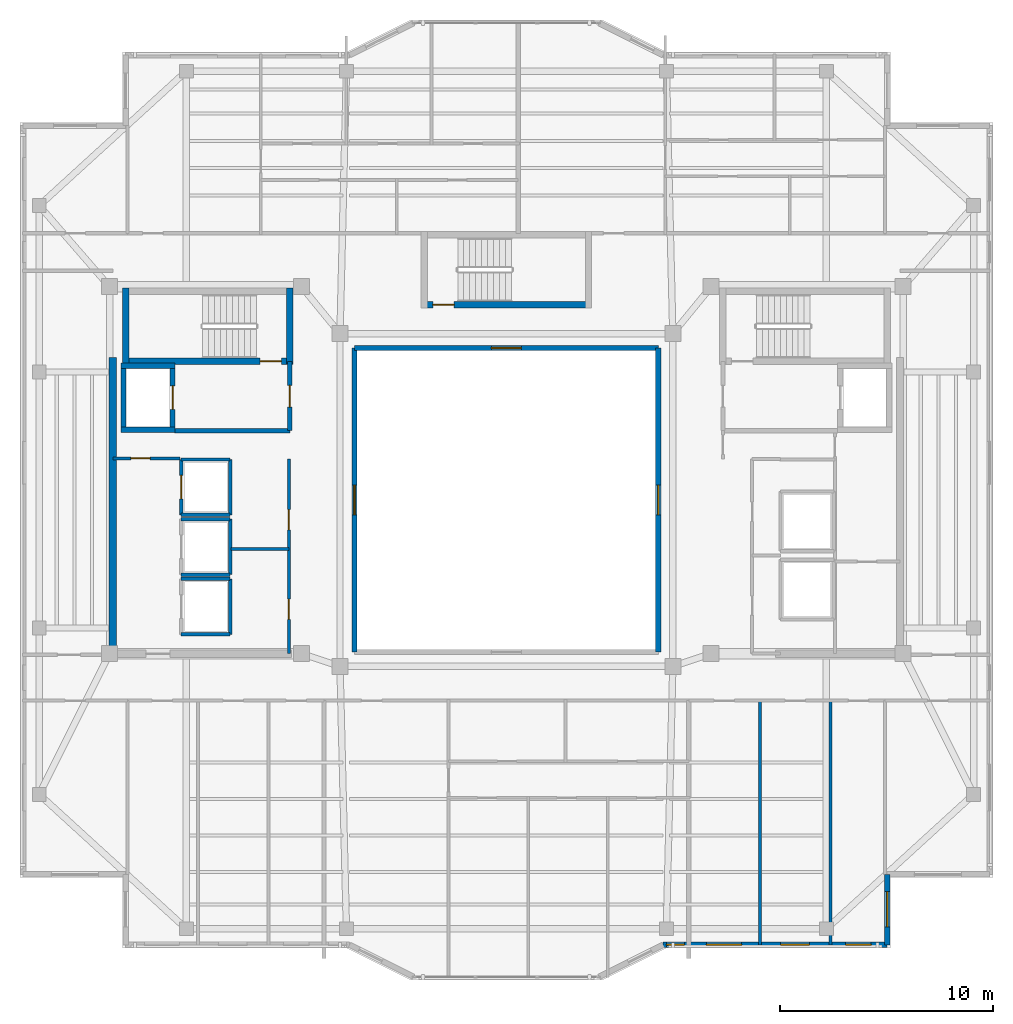
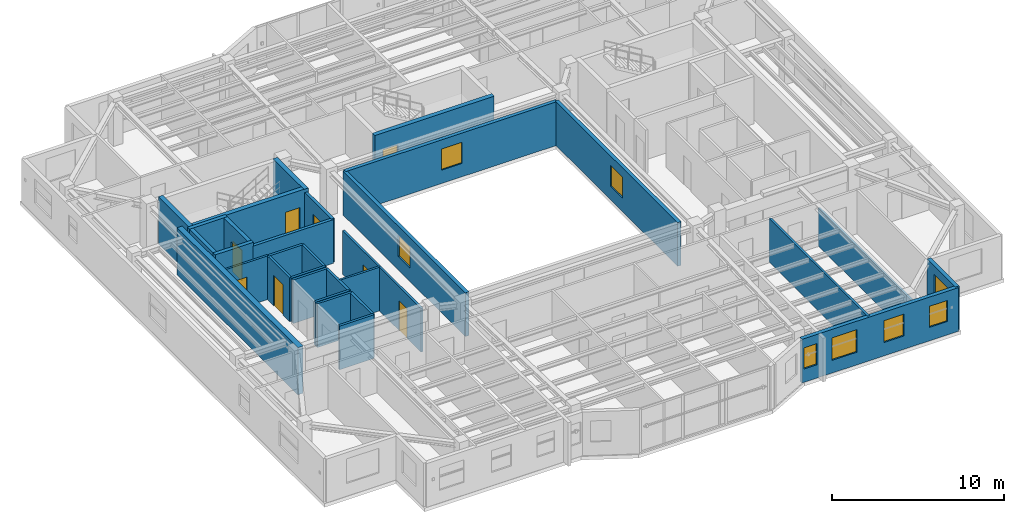
# One storey, part 7 of 13: 31 walls, 8 doors, 8 windows, 16 openings.
"""IFC4 building model written with IfcOpenShell, lengths in metres."""

from ifc_helpers import new_model, si_unit, direction, frame, frame_2d, origin, place, context, subcontext, project, spatial, rectangle, extrude, material, layer, layer_set, type_object, element, fill, save


model = new_model("IFC4")

# Units and contexts
model_context = context("Model", 3, precision=1e-05, world=origin(), true_north=direction((0.0, 1.0)))
body_context = subcontext(model_context, "Body", "Model", "MODEL_VIEW")
ifc_project = project(units=[si_unit("LENGTHUNIT", "METRE"), si_unit("AREAUNIT", "SQUARE_METRE"), si_unit("VOLUMEUNIT", "CUBIC_METRE"), si_unit("PLANEANGLEUNIT", "RADIAN"), si_unit("MASSUNIT", "GRAM", prefix="KILO")], contexts=[model_context])

# Site, building, storey
site_placement = place(None, origin())
site = spatial("IfcSite", under=ifc_project, at=site_placement, CompositionType="ELEMENT")
building_placement = place(site_placement, origin())
building = spatial("IfcBuilding", under=site, at=building_placement, Name="Tarnavaz Court Tower", CompositionType="ELEMENT")
storey_placement = place(building_placement, frame((0.0, 0.0, 248.199951171875)))
storey = spatial("IfcBuildingStorey", under=building, at=storey_placement, Name="L67", CompositionType="ELEMENT", Elevation=248.199951171875)

# Wall
ifc_material_1 = material(Name="Concrete C50/60", Category="concrete")
ifc_layer_1 = layer(ifc_material_1, 0.25)
ifc_layer_set_1 = layer_set([ifc_layer_1], Name="Concrete C50/60")
wall_type_1 = type_object("IfcWallType", Name="WL-CORE-250-C50", PredefinedType="SHEAR", material=ifc_layer_set_1)
wall_1_placement = place(storey_placement, frame((-17.949951171875, 3.175048828125, 0.0), z_axis=(0.0, 0.0, 1.0), x_axis=(0.0, 1.0, 0.0)))
element("IfcWall", 1, at=wall_1_placement, inside=storey, type_object=wall_type_1, Name="L67 Lift FL-W1 Shaft Wall 017", PredefinedType="SHEAR", context=body_context, shape_type="SweptSolid", body=[
    extrude(rectangle(XDim=3.25, YDim=0.25, at=frame_2d((1.625, 0.0))), origin(), (0.0, 0.0, 1.0), 3.35009765625),
])

# Wall, opening, door
wall_2_placement = place(storey_placement, frame((-15.64990234375, 3.175048828125, 0.0), z_axis=(0.0, 0.0, 1.0), x_axis=(0.0, 1.0, 0.0)))
wall_2 = element("IfcWall", 2, at=wall_2_placement, inside=storey, type_object=wall_type_1, Name="L67 Lift FL-W1 Shaft Wall 018", PredefinedType="SHEAR", context=body_context, shape_type="SweptSolid", body=[
    extrude(rectangle(XDim=3.25, YDim=0.25, at=frame_2d((1.625, 0.0))), origin(), (0.0, 0.0, 1.0), 3.35009765625),
])
opening_1_placement = place(wall_2_placement, frame((1.074951171875, 0.0, 0.0)))
opening_1 = element("IfcOpeningElement", 3, at=opening_1_placement, cuts=wall_2, Name="Opening LD1", PredefinedType="OPENING", context=body_context, shape_type="SweptSolid", body=[
    extrude(rectangle(XDim=1.10009765625, YDim=2.14990234375, at=frame_2d((0.550048828125, 1.074951171875))), frame((0.0, 0.135009765625, 0.0), z_axis=(0.0, -1.0, 0.0), x_axis=(1.0, 0.0, 0.0)), (0.0, 0.0, 1.0), 0.27001953125),
])
ifc_material_2 = material(Name="Stainless Steel", Category="steel")
door_type_1 = type_object("IfcDoorType", Name="DR-LD-1100", OperationType="NOTDEFINED", PredefinedType="DOOR", material=ifc_material_2)
door_1_placement = place(opening_1_placement, origin())
door_1 = element("IfcDoor", 4, at=door_1_placement, inside=storey, type_object=door_type_1, Name="L67 Lift Landing Door LD-FL-W1", OperationType="SLIDING_TO_LEFT", OverallHeight=2.14990234375, OverallWidth=1.10009765625, PredefinedType="DOOR", context=body_context, shape_type="SweptSolid", body=[
    extrude(rectangle(XDim=1.10009765625, YDim=2.14990234375, at=frame_2d((0.550048828125, 1.074951171875))), frame((0.0, 0.02490234375, 0.0), z_axis=(0.0, -1.0, 0.0), x_axis=(1.0, 0.0, 0.0)), (0.0, 0.0, 1.0), 0.050048828125),
])
fill(opening_1, door_1)

# Walls
for number, where, z_axis, x_axis, name in (
    (5, (-18.074951171875, 3.300048828125, 0.0), (0.0, 0.0, 1.0), (1.0, 0.0, 0.0), "L67 Lift FL-W1 Shaft Wall 019"),
    (6, (-18.074951171875, 6.300048828125, 0.0), (0.0, 0.0, 1.0), (1.0, 0.0, 0.0), "L67 Lift FL-W1 Shaft Wall 020"),
):
    element("IfcWall", number, at=place(storey_placement, frame(where, z_axis=z_axis, x_axis=x_axis)), inside=storey, type_object=wall_type_1, Name=name, PredefinedType="SHEAR", context=body_context, shape_type="SweptSolid", body=[
        extrude(rectangle(XDim=2.550048828125, YDim=0.25, at=frame_2d((1.27490234375, 0.0))), origin(), (0.0, 0.0, 1.0), 3.35009765625),
    ])

# Wall, opening, door
ifc_layer_2 = layer(ifc_material_1, 0.300048828125)
ifc_layer_set_2 = layer_set([ifc_layer_2], Name="Concrete C50/60")
wall_type_2 = type_object("IfcWallType", Name="WL-CORE-300-C50", PredefinedType="SHEAR", material=ifc_layer_set_2)
wall_3_placement = place(storey_placement, frame((-18.0, 6.5, 0.0), z_axis=(0.0, 0.0, 1.0), x_axis=(1.0, 0.0, 0.0)))
wall_3 = element("IfcWall", 7, at=wall_3_placement, inside=storey, type_object=wall_type_2, Name="L67 West Stair Core Wall 002", PredefinedType="SHEAR", context=body_context, shape_type="SweptSolid", body=[
    extrude(rectangle(XDim=8.0, YDim=0.300048828125, at=frame_2d((4.0, 0.0))), origin(), (0.0, 0.0, 1.0), 3.35009765625),
])
opening_2_placement = place(wall_3_placement, frame((6.449951171875, 0.0, 0.0)))
opening_2 = element("IfcOpeningElement", 8, at=opening_2_placement, cuts=wall_3, Name="Opening D01", PredefinedType="OPENING", context=body_context, shape_type="SweptSolid", body=[
    extrude(rectangle(XDim=1.0, YDim=2.14990234375, at=frame_2d((0.5, 1.074951171875))), frame((0.0, 0.159912109375, 0.0), z_axis=(0.0, -1.0, 0.0), x_axis=(1.0, 0.0, 0.0)), (0.0, 0.0, 1.0), 0.320068359375),
])
ifc_material_3 = material(Name="Fire-Rated Hardwood Timber Core", Category="wood")
door_type_2 = type_object("IfcDoorType", Name="DR-FD90-1000", OperationType="NOTDEFINED", PredefinedType="DOOR", material=ifc_material_3)
door_2_placement = place(opening_2_placement, origin())
door_2 = element("IfcDoor", 9, at=door_2_placement, inside=storey, type_object=door_type_2, Name="L67 Stair ST-W1 Exit Door", OperationType="SINGLE_SWING_LEFT", OverallHeight=2.14990234375, OverallWidth=1.0, PredefinedType="DOOR", context=body_context, shape_type="SweptSolid", body=[
    extrude(rectangle(XDim=1.0, YDim=2.14990234375, at=frame_2d((0.5, 1.074951171875))), frame((0.0, 0.02490234375, 0.0), z_axis=(0.0, -1.0, 0.0), x_axis=(1.0, 0.0, 0.0)), (0.0, 0.0, 1.0), 0.050048828125),
])
fill(opening_2, door_2)

# Walls
for number, where, z_axis, x_axis, name in (
    (10, (-17.85009765625, 6.35009765625, 0.0), (0.0, 0.0, 1.0), (0.0, 1.0, 0.0), "L67 West Stair Core Wall 003"),
    (11, (-10.14990234375, 6.35009765625, 0.0), (0.0, 0.0, 1.0), (0.0, 1.0, 0.0), "L67 West Stair Core Wall 004"),
):
    element("IfcWall", number, at=place(storey_placement, frame(where, z_axis=z_axis, x_axis=x_axis)), inside=storey, type_object=wall_type_2, Name=name, PredefinedType="SHEAR", context=body_context, shape_type="SweptSolid", body=[
        extrude(rectangle(XDim=3.58984375, YDim=0.300048828125, at=frame_2d((1.794921875, 0.0))), origin(), (0.0, 0.0, 1.0), 3.35009765625),
    ])

# Wall, opening, door
wall_4_placement = place(storey_placement, frame((-4.0, 9.14990234375, 0.0), z_axis=(0.0, 0.0, 1.0), x_axis=(1.0, 0.0, 0.0)))
wall_4 = element("IfcWall", 12, at=wall_4_placement, inside=storey, type_object=wall_type_2, Name="L67 North Stair Core Wall 010", PredefinedType="SHEAR", context=body_context, shape_type="SweptSolid", body=[
    extrude(rectangle(XDim=8.0, YDim=0.300048828125, at=frame_2d((4.0, 0.0))), origin(), (0.0, 0.0, 1.0), 3.35009765625),
])
opening_3_placement = place(wall_4_placement, frame((0.550048828125, 0.0, 0.0)))
opening_3 = element("IfcOpeningElement", 13, at=opening_3_placement, cuts=wall_4, Name="Opening D01", PredefinedType="OPENING", context=body_context, shape_type="SweptSolid", body=[
    extrude(rectangle(XDim=1.0, YDim=2.14990234375, at=frame_2d((0.5, 1.074951171875))), frame((0.0, 0.159912109375, 0.0), z_axis=(0.0, -1.0, 0.0), x_axis=(1.0, 0.0, 0.0)), (0.0, 0.0, 1.0), 0.320068359375),
])
door_3_placement = place(opening_3_placement, origin())
door_3 = element("IfcDoor", 14, at=door_3_placement, inside=storey, type_object=door_type_2, Name="L67 Stair ST-N1 Exit Door", OperationType="SINGLE_SWING_LEFT", OverallHeight=2.14990234375, OverallWidth=1.0, PredefinedType="DOOR", context=body_context, shape_type="SweptSolid", body=[
    extrude(rectangle(XDim=1.0, YDim=2.14990234375, at=frame_2d((0.5, 1.074951171875))), frame((0.0, 0.02490234375, 0.0), z_axis=(0.0, -1.0, 0.0), x_axis=(1.0, 0.0, 0.0)), (0.0, 0.0, 1.0), 0.050048828125),
])
fill(opening_3, door_3)

# Wall
ifc_layer_3 = layer(ifc_material_1, 0.35009765625)
ifc_layer_set_3 = layer_set([ifc_layer_3], Name="Concrete C50/60")
wall_type_3 = type_object("IfcWallType", Name="WL-CORE-350-C50", PredefinedType="SHEAR", material=ifc_layer_set_3)
wall_5_placement = place(storey_placement, frame((-18.449951171875, -7.375, 0.0), z_axis=(0.0, 0.0, 1.0), x_axis=(0.0, 1.0, 0.0)))
element("IfcWall", 15, at=wall_5_placement, inside=storey, type_object=wall_type_3, Name="L67 West Core Shear Wall 045", PredefinedType="SHEAR", context=body_context, shape_type="SweptSolid", body=[
    extrude(rectangle(XDim=14.050048828125, YDim=0.35009765625, at=frame_2d((7.02490234375, 0.0))), origin(), (0.0, 0.0, 1.0), 3.35009765625),
])

# Wall, opening, window
ifc_material_4 = material(Name="Precast Concrete C40/50", Category="concrete")
ifc_layer_4 = layer(ifc_material_4, 0.260009765625)
ifc_layer_set_4 = layer_set([ifc_layer_4], Name="Precast Concrete C40/50")
wall_type_4 = type_object("IfcWallType", Name="WL-EXT-260", PredefinedType="SOLIDWALL", material=ifc_layer_set_4)
wall_6_placement = place(storey_placement, frame((17.85009765625, -17.550048828125, 0.0), z_axis=(0.0, 0.0, 1.0), x_axis=(0.0, -1.0, 0.0)))
wall_6 = element("IfcWall", 16, at=wall_6_placement, inside=storey, type_object=wall_type_4, Name="L67 Exterior Terracotta Facade Wall 14", PredefinedType="SOLIDWALL", context=body_context, shape_type="SweptSolid", body=[
    extrude(rectangle(XDim=3.300048828125, YDim=0.260009765625, at=frame_2d((1.64990234375, 0.0))), origin(), (0.0, 0.0, 1.0), 3.10009765625),
])
opening_4_placement = place(wall_6_placement, frame((0.8076171875, 0.0, 0.89990234375)))
opening_4 = element("IfcOpeningElement", 17, at=opening_4_placement, cuts=wall_6, Name="Opening W02", PredefinedType="OPENING", context=body_context, shape_type="SweptSolid", body=[
    extrude(rectangle(XDim=1.64990234375, YDim=1.60009765625, at=frame_2d((0.824951171875, 0.800048828125))), frame((0.0, 0.139892578125, 0.0), z_axis=(0.0, -1.0, 0.0), x_axis=(1.0, 0.0, 0.0)), (0.0, 0.0, 1.0), 0.280029296875),
])
ifc_material_5 = material(Name="Double-Glazed Solar Low-E Glass", Category="glass")
window_type_1 = type_object("IfcWindowType", Name="WN-APT-1650", PartitioningType="DOUBLE_PANEL_VERTICAL", PredefinedType="WINDOW", material=ifc_material_5)
window_1_placement = place(opening_4_placement, origin())
window_1 = element("IfcWindow", 18, at=window_1_placement, inside=storey, type_object=window_type_1, Name="L67 Shared Community Tea Pantry Window", OverallHeight=1.60009765625, OverallWidth=1.64990234375, PartitioningType="SINGLE_PANEL", PredefinedType="WINDOW", context=body_context, shape_type="SweptSolid", body=[
    extrude(rectangle(XDim=1.64990234375, YDim=1.60009765625, at=frame_2d((0.824951171875, 0.800048828125))), frame((0.0, 0.030029296875, 0.0), z_axis=(0.0, -1.0, 0.0), x_axis=(1.0, 0.0, 0.0)), (0.0, 0.0, 1.0), 0.06005859375),
])
fill(opening_4, window_1)

# Wall, openings, windows
wall_7_placement = place(storey_placement, frame((17.85009765625, -20.85009765625, 0.0), z_axis=(0.0, 0.0, 1.0), x_axis=(-1.0, 0.0, 0.0)))
wall_7 = element("IfcWall", 19, at=wall_7_placement, inside=storey, type_object=wall_type_4, Name="L67 Exterior Terracotta Facade Wall 15", PredefinedType="SOLIDWALL", context=body_context, shape_type="SweptSolid", body=[
    extrude(rectangle(XDim=10.5, YDim=0.260009765625, at=frame_2d((5.25, 0.0))), origin(), (0.0, 0.0, 1.0), 3.10009765625),
])
opening_5_placement = place(wall_7_placement, frame((0.75, 0.0, 0.949951171875)))
opening_5 = element("IfcOpeningElement", 20, at=opening_5_placement, cuts=wall_7, Name="Opening W05", PredefinedType="OPENING", context=body_context, shape_type="SweptSolid", body=[
    extrude(rectangle(XDim=1.199951171875, YDim=1.5, at=frame_2d((0.60009765625, 0.75))), frame((0.0, 0.139892578125, 0.0), z_axis=(0.0, -1.0, 0.0), x_axis=(1.0, 0.0, 0.0)), (0.0, 0.0, 1.0), 0.280029296875),
])
opening_6_placement = place(wall_7_placement, frame((3.64990234375, 0.0, 0.949951171875)))
opening_6 = element("IfcOpeningElement", 21, at=opening_6_placement, cuts=wall_7, Name="Opening W04", PredefinedType="OPENING", context=body_context, shape_type="SweptSolid", body=[
    extrude(rectangle(XDim=1.35009765625, YDim=1.550048828125, at=frame_2d((0.675048828125, 0.77490234375))), frame((0.0, 0.139892578125, 0.0), z_axis=(0.0, -1.0, 0.0), x_axis=(1.0, 0.0, 0.0)), (0.0, 0.0, 1.0), 0.280029296875),
])
opening_7_placement = place(wall_7_placement, frame((6.824951171875, 0.0, 0.89990234375)))
opening_7 = element("IfcOpeningElement", 22, at=opening_7_placement, cuts=wall_7, Name="Opening W02", PredefinedType="OPENING", context=body_context, shape_type="SweptSolid", body=[
    extrude(rectangle(XDim=1.64990234375, YDim=1.60009765625, at=frame_2d((0.824951171875, 0.800048828125))), frame((0.0, 0.139892578125, 0.0), z_axis=(0.0, -1.0, 0.0), x_axis=(1.0, 0.0, 0.0)), (0.0, 0.0, 1.0), 0.280029296875),
])
opening_8_placement = place(wall_7_placement, frame((9.5048828125, 0.0, 0.949951171875)))
opening_8 = element("IfcOpeningElement", 23, at=opening_8_placement, cuts=wall_7, Name="Opening W15", PredefinedType="OPENING", context=body_context, shape_type="SweptSolid", body=[
    extrude(rectangle(XDim=0.85009765625, YDim=1.5, at=frame_2d((0.425048828125, 0.75))), frame((0.0, 0.139892578125, 0.0), z_axis=(0.0, -1.0, 0.0), x_axis=(1.0, 0.0, 0.0)), (0.0, 0.0, 1.0), 0.280029296875),
])
window_type_2 = type_object("IfcWindowType", Name="WN-APT-1200", PartitioningType="SINGLE_PANEL", PredefinedType="WINDOW", material=ifc_material_5)
window_2_placement = place(opening_5_placement, origin())
window_2 = element("IfcWindow", 24, at=window_2_placement, inside=storey, type_object=window_type_2, Name="L67 Shared Community Tea Pantry Window", OverallHeight=1.5, OverallWidth=1.199951171875, PartitioningType="SINGLE_PANEL", PredefinedType="WINDOW", context=body_context, shape_type="SweptSolid", body=[
    extrude(rectangle(XDim=1.199951171875, YDim=1.5, at=frame_2d((0.60009765625, 0.75))), frame((0.0, 0.030029296875, 0.0), z_axis=(0.0, -1.0, 0.0), x_axis=(1.0, 0.0, 0.0)), (0.0, 0.0, 1.0), 0.06005859375),
])
fill(opening_5, window_2)
window_type_3 = type_object("IfcWindowType", Name="WN-APT-1350", PartitioningType="SINGLE_PANEL", PredefinedType="WINDOW", material=ifc_material_5)
window_3_placement = place(opening_6_placement, origin())
window_3 = element("IfcWindow", 25, at=window_3_placement, inside=storey, type_object=window_type_3, Name="L67 Children Playroom and Daycare Window", OverallHeight=1.550048828125, OverallWidth=1.35009765625, PartitioningType="SINGLE_PANEL", PredefinedType="WINDOW", context=body_context, shape_type="SweptSolid", body=[
    extrude(rectangle(XDim=1.35009765625, YDim=1.550048828125, at=frame_2d((0.675048828125, 0.77490234375))), frame((0.0, 0.030029296875, 0.0), z_axis=(0.0, -1.0, 0.0), x_axis=(1.0, 0.0, 0.0)), (0.0, 0.0, 1.0), 0.06005859375),
])
fill(opening_6, window_3)
window_4_placement = place(opening_7_placement, origin())
window_4 = element("IfcWindow", 26, at=window_4_placement, inside=storey, type_object=window_type_1, Name="L67 Resident Fitness and Yoga Studio Window", OverallHeight=1.60009765625, OverallWidth=1.64990234375, PartitioningType="SINGLE_PANEL", PredefinedType="WINDOW", context=body_context, shape_type="SweptSolid", body=[
    extrude(rectangle(XDim=1.64990234375, YDim=1.60009765625, at=frame_2d((0.824951171875, 0.800048828125))), frame((0.0, 0.030029296875, 0.0), z_axis=(0.0, -1.0, 0.0), x_axis=(1.0, 0.0, 0.0)), (0.0, 0.0, 1.0), 0.06005859375),
])
fill(opening_7, window_4)
window_type_4 = type_object("IfcWindowType", Name="WN-APT-850", PartitioningType="SINGLE_PANEL", PredefinedType="WINDOW", material=ifc_material_5)
window_5_placement = place(opening_8_placement, origin())
window_5 = element("IfcWindow", 27, at=window_5_placement, inside=storey, type_object=window_type_4, Name="L67 Flat 03 Bedroom 3 Window", OverallHeight=1.5, OverallWidth=0.85009765625, PartitioningType="SINGLE_PANEL", PredefinedType="WINDOW", context=body_context, shape_type="SweptSolid", body=[
    extrude(rectangle(XDim=0.85009765625, YDim=1.5, at=frame_2d((0.425048828125, 0.75))), frame((0.0, 0.030029296875, 0.0), z_axis=(0.0, -1.0, 0.0), x_axis=(1.0, 0.0, 0.0)), (0.0, 0.0, 1.0), 0.06005859375),
])
fill(opening_8, window_5)

# Wall
ifc_material_6 = material(Name="Autoclaved Aerated Concrete Blockwork", Category="masonry")
ifc_layer_5 = layer(ifc_material_6, 0.199951171875)
ifc_layer_set_5 = layer_set([ifc_layer_5], Name="Autoclaved Aerated Concrete Blockwork")
wall_type_5 = type_object("IfcWallType", Name="WL-FIRE-200", PredefinedType="SOLIDWALL", material=ifc_layer_set_5)
wall_8_placement = place(storey_placement, frame((-15.550048828125, 3.25, 0.0), z_axis=(0.0, 0.0, 1.0), x_axis=(1.0, 0.0, 0.0)))
element("IfcWall", 28, at=wall_8_placement, inside=storey, type_object=wall_type_5, Name="L67 West Firefighting Lobby Wall 013", PredefinedType="SOLIDWALL", context=body_context, shape_type="SweptSolid", body=[
    extrude(rectangle(XDim=5.400146484375, YDim=0.199951171875, at=frame_2d((2.7001953125, 0.0))), origin(), (0.0, 0.0, 1.0), 3.10009765625),
])

# Wall, opening, door
wall_9_placement = place(storey_placement, frame((-10.14990234375, 3.25, 0.0), z_axis=(0.0, 0.0, 1.0), x_axis=(0.0, 1.0, 0.0)))
wall_9 = element("IfcWall", 29, at=wall_9_placement, inside=storey, type_object=wall_type_5, Name="L67 West Firefighting Lobby Wall 014", PredefinedType="SOLIDWALL", context=body_context, shape_type="SweptSolid", body=[
    extrude(rectangle(XDim=3.25, YDim=0.199951171875, at=frame_2d((1.625, 0.0))), origin(), (0.0, 0.0, 1.0), 3.10009765625),
])
opening_9_placement = place(wall_9_placement, frame((1.10009765625, 0.0, 0.0)))
opening_9 = element("IfcOpeningElement", 30, at=opening_9_placement, cuts=wall_9, Name="Opening D05", PredefinedType="OPENING", context=body_context, shape_type="SweptSolid", body=[
    extrude(rectangle(XDim=1.02001953125, YDim=2.14990234375, at=frame_2d((0.510009765625, 1.074951171875))), frame((0.0, 0.10986328125, 0.0), z_axis=(0.0, -1.0, 0.0), x_axis=(1.0, 0.0, 0.0)), (0.0, 0.0, 1.0), 0.219970703125),
])
door_type_3 = type_object("IfcDoorType", Name="DR-FD60-1000", OperationType="NOTDEFINED", PredefinedType="DOOR", material=ifc_material_3)
door_4_placement = place(opening_9_placement, origin())
door_4 = element("IfcDoor", 31, at=door_4_placement, inside=storey, type_object=door_type_3, Name="L67 West Firefighting Lobby Door", OperationType="SINGLE_SWING_RIGHT", OverallHeight=2.14990234375, OverallWidth=1.02001953125, PredefinedType="DOOR", context=body_context, shape_type="SweptSolid", body=[
    extrude(rectangle(XDim=1.02001953125, YDim=2.14990234375, at=frame_2d((0.510009765625, 1.074951171875))), frame((0.0, 0.02490234375, 0.0), z_axis=(0.0, -1.0, 0.0), x_axis=(1.0, 0.0, 0.0)), (0.0, 0.0, 1.0), 0.050048828125),
])
fill(opening_9, door_4)

ifc_material_7 = material(Name="Gypsum Plasterboard Acoustic Partition", Category="masonry")
ifc_layer_6 = layer(ifc_material_7, 0.139892578125)
ifc_layer_set_6 = layer_set([ifc_layer_6], Name="Gypsum Plasterboard Acoustic Partition")
wall_type_6 = type_object("IfcWallType", Name="WL-PART-150", PredefinedType="PARTITIONING", material=ifc_layer_set_6)
wall_10_placement = place(storey_placement, frame((-18.449951171875, 1.949951171875, 0.0), z_axis=(0.0, 0.0, 1.0), x_axis=(1.0, 0.0, 0.0)))
wall_10 = element("IfcWall", 32, at=wall_10_placement, inside=storey, type_object=wall_type_6, Name="L67 Interior Partition 049", PredefinedType="PARTITIONING", context=body_context, shape_type="SweptSolid", body=[
    extrude(rectangle(XDim=3.14990234375, YDim=0.139892578125, at=frame_2d((1.574951171875, 0.0))), origin(), (0.0, 0.0, 1.0), 3.10009765625),
])
opening_10_placement = place(wall_10_placement, frame((0.85009765625, 0.0, 0.0)))
opening_10 = element("IfcOpeningElement", 33, at=opening_10_placement, cuts=wall_10, Name="Opening D09", PredefinedType="OPENING", context=body_context, shape_type="SweptSolid", body=[
    extrude(rectangle(XDim=0.89990234375, YDim=2.080078125, at=frame_2d((0.449951171875, 1.0400390625))), frame((0.0, 0.079833984375, 0.0), z_axis=(0.0, -1.0, 0.0), x_axis=(1.0, 0.0, 0.0)), (0.0, 0.0, 1.0), 0.159912109375),
])
door_type_4 = type_object("IfcDoorType", Name="DR-FD30-900", OperationType="NOTDEFINED", PredefinedType="DOOR", material=ifc_material_3)
door_5_placement = place(opening_10_placement, origin())
door_5 = element("IfcDoor", 34, at=door_5_placement, inside=storey, type_object=door_type_4, Name="L67 West Sky Store Door", OperationType="SINGLE_SWING_RIGHT", OverallHeight=2.080078125, OverallWidth=0.89990234375, PredefinedType="DOOR", context=body_context, shape_type="SweptSolid", body=[
    extrude(rectangle(XDim=0.89990234375, YDim=2.080078125, at=frame_2d((0.449951171875, 1.0400390625))), frame((0.0, 0.02490234375, 0.0), z_axis=(0.0, -1.0, 0.0), x_axis=(1.0, 0.0, 0.0)), (0.0, 0.0, 1.0), 0.050048828125),
])
fill(opening_10, door_5)

# Wall, openings, doors
wall_11_placement = place(storey_placement, frame((-10.199951171875, -7.199951171875, 0.0), z_axis=(0.0, 0.0, 1.0), x_axis=(0.0, 1.0, 0.0)))
wall_11 = element("IfcWall", 35, at=wall_11_placement, inside=storey, type_object=wall_type_6, Name="L67 West Reclaimed Core Wall 050", PredefinedType="PARTITIONING", context=body_context, shape_type="SweptSolid", body=[
    extrude(rectangle(XDim=9.119873046875, YDim=0.139892578125, at=frame_2d((4.56005859375, 0.0))), origin(), (0.0, 0.0, 1.0), 3.10009765625),
])
opening_11_placement = place(wall_11_placement, frame((1.60009765625, 0.0, 0.0)))
opening_11 = element("IfcOpeningElement", 36, at=opening_11_placement, cuts=wall_11, Name="Opening D08", PredefinedType="OPENING", context=body_context, shape_type="SweptSolid", body=[
    extrude(rectangle(XDim=0.949951171875, YDim=2.1201171875, at=frame_2d((0.47509765625, 1.06005859375))), frame((0.0, 0.079833984375, 0.0), z_axis=(0.0, -1.0, 0.0), x_axis=(1.0, 0.0, 0.0)), (0.0, 0.0, 1.0), 0.159912109375),
])
opening_12_placement = place(wall_11_placement, frame((5.800048828125, 0.0, 0.0)))
opening_12 = element("IfcOpeningElement", 37, at=opening_12_placement, cuts=wall_11, Name="Opening D08", PredefinedType="OPENING", context=body_context, shape_type="SweptSolid", body=[
    extrude(rectangle(XDim=0.949951171875, YDim=2.1201171875, at=frame_2d((0.47509765625, 1.06005859375))), frame((0.0, 0.079833984375, 0.0), z_axis=(0.0, -1.0, 0.0), x_axis=(1.0, 0.0, 0.0)), (0.0, 0.0, 1.0), 0.159912109375),
])
door_type_5 = type_object("IfcDoorType", Name="DR-FD30-950", OperationType="NOTDEFINED", PredefinedType="DOOR", material=ifc_material_3)
door_6_placement = place(opening_11_placement, origin())
door_6 = element("IfcDoor", 38, at=door_6_placement, inside=storey, type_object=door_type_5, Name="L67 West Study Room Door", OperationType="SINGLE_SWING_LEFT", OverallHeight=2.1201171875, OverallWidth=0.949951171875, PredefinedType="DOOR", context=body_context, shape_type="SweptSolid", body=[
    extrude(rectangle(XDim=0.949951171875, YDim=2.1201171875, at=frame_2d((0.47509765625, 1.06005859375))), frame((0.0, 0.02490234375, 0.0), z_axis=(0.0, -1.0, 0.0), x_axis=(1.0, 0.0, 0.0)), (0.0, 0.0, 1.0), 0.050048828125),
])
fill(opening_11, door_6)
door_7_placement = place(opening_12_placement, origin())
door_7 = element("IfcDoor", 39, at=door_7_placement, inside=storey, type_object=door_type_5, Name="L67 West Laundry Room Door", OperationType="SINGLE_SWING_RIGHT", OverallHeight=2.1201171875, OverallWidth=0.949951171875, PredefinedType="DOOR", context=body_context, shape_type="SweptSolid", body=[
    extrude(rectangle(XDim=0.949951171875, YDim=2.1201171875, at=frame_2d((0.47509765625, 1.06005859375))), frame((0.0, 0.02490234375, 0.0), z_axis=(0.0, -1.0, 0.0), x_axis=(1.0, 0.0, 0.0)), (0.0, 0.0, 1.0), 0.050048828125),
])
fill(opening_12, door_7)

# Walls
wall_12_placement = place(storey_placement, frame((-12.89990234375, -2.300048828125, 0.0), z_axis=(0.0, 0.0, 1.0), x_axis=(1.0, 0.0, 0.0)))
element("IfcWall", 40, at=wall_12_placement, inside=storey, type_object=wall_type_6, Name="L67 Interior Partition 051", PredefinedType="PARTITIONING", context=body_context, shape_type="SweptSolid", body=[
    extrude(rectangle(XDim=2.699951171875, YDim=0.139892578125, at=frame_2d((1.35009765625, 0.0))), origin(), (0.0, 0.0, 1.0), 3.10009765625),
])
wall_13_placement = place(storey_placement, frame((11.89404296875, -20.85009765625, 0.0), z_axis=(0.0, 0.0, 1.0), x_axis=(0.0, 1.0, 0.0)))
element("IfcWall", 41, at=wall_13_placement, inside=storey, type_object=wall_type_6, Name="L67 Interior Partition 080", PredefinedType="PARTITIONING", context=body_context, shape_type="SweptSolid", body=[
    extrude(rectangle(XDim=11.4501953125, YDim=0.139892578125, at=frame_2d((5.72509765625, 0.0))), origin(), (0.0, 0.0, 1.0), 3.10009765625),
])
wall_14_placement = place(storey_placement, frame((15.18798828125, -20.85009765625, 0.0), z_axis=(0.0, 0.0, 1.0), x_axis=(0.0, 1.0, 0.0)))
element("IfcWall", 42, at=wall_14_placement, inside=storey, type_object=wall_type_6, Name="L67 Interior Partition 081", PredefinedType="PARTITIONING", context=body_context, shape_type="SweptSolid", body=[
    extrude(rectangle(XDim=11.4501953125, YDim=0.139892578125, at=frame_2d((5.72509765625, 0.0))), origin(), (0.0, 0.0, 1.0), 2.68505859375),
])
ifc_layer_7 = layer(ifc_material_6, 0.159912109375)
ifc_layer_set_7 = layer_set([ifc_layer_7], Name="Autoclaved Aerated Concrete Blockwork")
wall_type_7 = type_object("IfcWallType", Name="WL-SHAFT-150", PredefinedType="SOLIDWALL", material=ifc_layer_set_7)
wall_15_placement = place(storey_placement, frame((-12.949951171875, -6.300048828125, 0.0), z_axis=(0.0, 0.0, 1.0), x_axis=(0.0, 1.0, 0.0)))
element("IfcWall", 43, at=wall_15_placement, inside=storey, type_object=wall_type_7, Name="L67 Lift PL-H1 Shaft Wall 022", PredefinedType="SOLIDWALL", context=body_context, shape_type="SweptSolid", body=[
    extrude(rectangle(XDim=2.60009765625, YDim=0.159912109375, at=frame_2d((1.300048828125, 0.0))), origin(), (0.0, 0.0, 1.0), 3.10009765625),
])
for number, where, z_axis, x_axis, name in (
    (44, (-15.25, -6.300048828125, 0.0), (0.0, 0.0, 1.0), (1.0, 0.0, 0.0), "L67 Lift PL-H1 Shaft Wall 023"),
    (45, (-15.25, -3.699951171875, 0.0), (0.0, 0.0, 1.0), (1.0, 0.0, 0.0), "L67 Lift PL-H1 Shaft Wall 024"),
):
    element("IfcWall", number, at=place(storey_placement, frame(where, z_axis=z_axis, x_axis=x_axis)), inside=storey, type_object=wall_type_7, Name=name, PredefinedType="SOLIDWALL", context=body_context, shape_type="SweptSolid", body=[
        extrude(rectangle(XDim=2.300048828125, YDim=0.159912109375, at=frame_2d((1.14990234375, 0.0))), origin(), (0.0, 0.0, 1.0), 3.10009765625),
    ])
wall_16_placement = place(storey_placement, frame((-12.949951171875, -3.5, 0.0), z_axis=(0.0, 0.0, 1.0), x_axis=(0.0, 1.0, 0.0)))
element("IfcWall", 46, at=wall_16_placement, inside=storey, type_object=wall_type_7, Name="L67 Lift PL-H2 Shaft Wall 026", PredefinedType="SOLIDWALL", context=body_context, shape_type="SweptSolid", body=[
    extrude(rectangle(XDim=2.60009765625, YDim=0.159912109375, at=frame_2d((1.300048828125, 0.0))), origin(), (0.0, 0.0, 1.0), 3.10009765625),
])
for number, where, z_axis, x_axis, name in (
    (47, (-15.25, -3.5, 0.0), (0.0, 0.0, 1.0), (1.0, 0.0, 0.0), "L67 Lift PL-H2 Shaft Wall 027"),
    (48, (-15.25, -0.89990234375, 0.0), (0.0, 0.0, 1.0), (1.0, 0.0, 0.0), "L67 Lift PL-H2 Shaft Wall 028"),
):
    element("IfcWall", number, at=place(storey_placement, frame(where, z_axis=z_axis, x_axis=x_axis)), inside=storey, type_object=wall_type_7, Name=name, PredefinedType="SOLIDWALL", context=body_context, shape_type="SweptSolid", body=[
        extrude(rectangle(XDim=2.300048828125, YDim=0.159912109375, at=frame_2d((1.14990234375, 0.0))), origin(), (0.0, 0.0, 1.0), 3.10009765625),
    ])

# Wall, opening, door
wall_17_placement = place(storey_placement, frame((-15.25, -0.699951171875, 0.0), z_axis=(0.0, 0.0, 1.0), x_axis=(0.0, 1.0, 0.0)))
wall_17 = element("IfcWall", 49, at=wall_17_placement, inside=storey, type_object=wall_type_7, Name="L67 Lift PL-H3 Shaft Wall 029", PredefinedType="SOLIDWALL", context=body_context, shape_type="SweptSolid", body=[
    extrude(rectangle(XDim=2.599853515625, YDim=0.159912109375, at=frame_2d((1.2998046875, 0.0))), origin(), (0.0, 0.0, 1.0), 3.10009765625),
])
opening_13_placement = place(wall_17_placement, frame((0.75, 0.0, 0.0)))
opening_13 = element("IfcOpeningElement", 50, at=opening_13_placement, cuts=wall_17, Name="Opening LD1", PredefinedType="OPENING", context=body_context, shape_type="SweptSolid", body=[
    extrude(rectangle(XDim=1.10009765625, YDim=2.14990234375, at=frame_2d((0.550048828125, 1.074951171875))), frame((0.0, 0.08984375, 0.0), z_axis=(0.0, -1.0, 0.0), x_axis=(1.0, 0.0, 0.0)), (0.0, 0.0, 1.0), 0.179931640625),
])
door_8_placement = place(opening_13_placement, origin())
door_8 = element("IfcDoor", 51, at=door_8_placement, inside=storey, type_object=door_type_1, Name="L67 Lift Landing Door LD-PL-H3", OperationType="SLIDING_TO_LEFT", OverallHeight=2.14990234375, OverallWidth=1.10009765625, PredefinedType="DOOR", context=body_context, shape_type="SweptSolid", body=[
    extrude(rectangle(XDim=1.10009765625, YDim=2.14990234375, at=frame_2d((0.550048828125, 1.074951171875))), frame((0.0, 0.02490234375, 0.0), z_axis=(0.0, -1.0, 0.0), x_axis=(1.0, 0.0, 0.0)), (0.0, 0.0, 1.0), 0.050048828125),
])
fill(opening_13, door_8)

# Walls
wall_18_placement = place(storey_placement, frame((-12.949951171875, -0.699951171875, 0.0), z_axis=(0.0, 0.0, 1.0), x_axis=(0.0, 1.0, 0.0)))
element("IfcWall", 52, at=wall_18_placement, inside=storey, type_object=wall_type_7, Name="L67 Lift PL-H3 Shaft Wall 030", PredefinedType="SOLIDWALL", context=body_context, shape_type="SweptSolid", body=[
    extrude(rectangle(XDim=2.599853515625, YDim=0.159912109375, at=frame_2d((1.2998046875, 0.0))), origin(), (0.0, 0.0, 1.0), 3.10009765625),
])
for number, where, z_axis, x_axis, name in (
    (53, (-15.25, -0.699951171875, 0.0), (0.0, 0.0, 1.0), (1.0, 0.0, 0.0), "L67 Lift PL-H3 Shaft Wall 031"),
    (54, (-15.25, 1.89990234375, 0.0), (0.0, 0.0, 1.0), (1.0, 0.0, 0.0), "L67 Lift PL-H3 Shaft Wall 032"),
):
    element("IfcWall", number, at=place(storey_placement, frame(where, z_axis=z_axis, x_axis=x_axis)), inside=storey, type_object=wall_type_7, Name=name, PredefinedType="SOLIDWALL", context=body_context, shape_type="SweptSolid", body=[
        extrude(rectangle(XDim=2.300048828125, YDim=0.159912109375, at=frame_2d((1.14990234375, 0.0))), origin(), (0.0, 0.0, 1.0), 3.10009765625),
    ])

# Wall, opening, window
ifc_layer_8 = layer(ifc_material_4, 0.239990234375)
ifc_layer_set_8 = layer_set([ifc_layer_8], Name="Precast Concrete C40/50")
wall_type_8 = type_object("IfcWallType", Name="WL-WELL-240", PredefinedType="SOLIDWALL", material=ifc_layer_set_8)
wall_19_placement = place(storey_placement, frame((7.1201171875, -7.1201171875, 0.0), z_axis=(0.0, 0.0, 1.0), x_axis=(0.0, 1.0, 0.0)))
wall_19 = element("IfcWall", 55, at=wall_19_placement, inside=storey, type_object=wall_type_8, Name="L67 Badgir Light-Well Exterior Wall E", PredefinedType="SOLIDWALL", context=body_context, shape_type="SweptSolid", body=[
    extrude(rectangle(XDim=14.240234375, YDim=0.239990234375, at=frame_2d((7.1201171875, 0.0))), origin(), (0.0, 0.0, 1.0), 3.10009765625),
])
opening_14_placement = place(wall_19_placement, frame((6.419921875, 0.0, 0.949951171875)))
opening_14 = element("IfcOpeningElement", 56, at=opening_14_placement, cuts=wall_19, Name="Opening W13", PredefinedType="OPENING", context=body_context, shape_type="SweptSolid", body=[
    extrude(rectangle(XDim=1.39990234375, YDim=1.5, at=frame_2d((0.699951171875, 0.75))), frame((0.0, 0.1298828125, 0.0), z_axis=(0.0, -1.0, 0.0), x_axis=(1.0, 0.0, 0.0)), (0.0, 0.0, 1.0), 0.260009765625),
])
window_type_5 = type_object("IfcWindowType", Name="WN-WEL-1400", PartitioningType="SINGLE_PANEL", PredefinedType="WINDOW", material=ifc_material_5)
window_6_placement = place(opening_14_placement, origin())
window_6 = element("IfcWindow", 57, at=window_6_placement, inside=storey, type_object=window_type_5, Name="L67 Courtyard Gallery Window E", OverallHeight=1.5, OverallWidth=1.39990234375, PartitioningType="SINGLE_PANEL", PredefinedType="WINDOW", context=body_context, shape_type="SweptSolid", body=[
    extrude(rectangle(XDim=1.39990234375, YDim=1.5, at=frame_2d((0.699951171875, 0.75))), frame((0.0, 0.030029296875, 0.0), z_axis=(0.0, -1.0, 0.0), x_axis=(1.0, 0.0, 0.0)), (0.0, 0.0, 1.0), 0.06005859375),
])
fill(opening_14, window_6)

wall_20_placement = place(storey_placement, frame((7.1201171875, 7.1201171875, 0.0), z_axis=(0.0, 0.0, 1.0), x_axis=(-1.0, 0.0, 0.0)))
wall_20 = element("IfcWall", 58, at=wall_20_placement, inside=storey, type_object=wall_type_8, Name="L67 Badgir Light-Well Exterior Wall N", PredefinedType="SOLIDWALL", context=body_context, shape_type="SweptSolid", body=[
    extrude(rectangle(XDim=14.240234375, YDim=0.239990234375, at=frame_2d((7.1201171875, 0.0))), origin(), (0.0, 0.0, 1.0), 3.10009765625),
])
opening_15_placement = place(wall_20_placement, frame((6.419921875, 0.0, 0.949951171875)))
opening_15 = element("IfcOpeningElement", 59, at=opening_15_placement, cuts=wall_20, Name="Opening W13", PredefinedType="OPENING", context=body_context, shape_type="SweptSolid", body=[
    extrude(rectangle(XDim=1.39990234375, YDim=1.5, at=frame_2d((0.699951171875, 0.75))), frame((0.0, 0.1298828125, 0.0), z_axis=(0.0, -1.0, 0.0), x_axis=(1.0, 0.0, 0.0)), (0.0, 0.0, 1.0), 0.260009765625),
])
window_7_placement = place(opening_15_placement, origin())
window_7 = element("IfcWindow", 60, at=window_7_placement, inside=storey, type_object=window_type_5, Name="L67 Courtyard Gallery Window N", OverallHeight=1.5, OverallWidth=1.39990234375, PartitioningType="SINGLE_PANEL", PredefinedType="WINDOW", context=body_context, shape_type="SweptSolid", body=[
    extrude(rectangle(XDim=1.39990234375, YDim=1.5, at=frame_2d((0.699951171875, 0.75))), frame((0.0, 0.030029296875, 0.0), z_axis=(0.0, -1.0, 0.0), x_axis=(1.0, 0.0, 0.0)), (0.0, 0.0, 1.0), 0.06005859375),
])
fill(opening_15, window_7)

wall_21_placement = place(storey_placement, frame((-7.1201171875, 7.1201171875, 0.0), z_axis=(0.0, 0.0, 1.0), x_axis=(0.0, -1.0, 0.0)))
wall_21 = element("IfcWall", 61, at=wall_21_placement, inside=storey, type_object=wall_type_8, Name="L67 Badgir Light-Well Exterior Wall W", PredefinedType="SOLIDWALL", context=body_context, shape_type="SweptSolid", body=[
    extrude(rectangle(XDim=14.240234375, YDim=0.239990234375, at=frame_2d((7.1201171875, 0.0))), origin(), (0.0, 0.0, 1.0), 3.10009765625),
])
opening_16_placement = place(wall_21_placement, frame((6.419921875, 0.0, 0.949951171875)))
opening_16 = element("IfcOpeningElement", 62, at=opening_16_placement, cuts=wall_21, Name="Opening W13", PredefinedType="OPENING", context=body_context, shape_type="SweptSolid", body=[
    extrude(rectangle(XDim=1.39990234375, YDim=1.5, at=frame_2d((0.699951171875, 0.75))), frame((0.0, 0.1298828125, 0.0), z_axis=(0.0, -1.0, 0.0), x_axis=(1.0, 0.0, 0.0)), (0.0, 0.0, 1.0), 0.260009765625),
])
window_8_placement = place(opening_16_placement, origin())
window_8 = element("IfcWindow", 63, at=window_8_placement, inside=storey, type_object=window_type_5, Name="L67 Courtyard Gallery Window W", OverallHeight=1.5, OverallWidth=1.39990234375, PartitioningType="SINGLE_PANEL", PredefinedType="WINDOW", context=body_context, shape_type="SweptSolid", body=[
    extrude(rectangle(XDim=1.39990234375, YDim=1.5, at=frame_2d((0.699951171875, 0.75))), frame((0.0, 0.030029296875, 0.0), z_axis=(0.0, -1.0, 0.0), x_axis=(1.0, 0.0, 0.0)), (0.0, 0.0, 1.0), 0.06005859375),
])
fill(opening_16, window_8)

save(model, "model.ifc")
